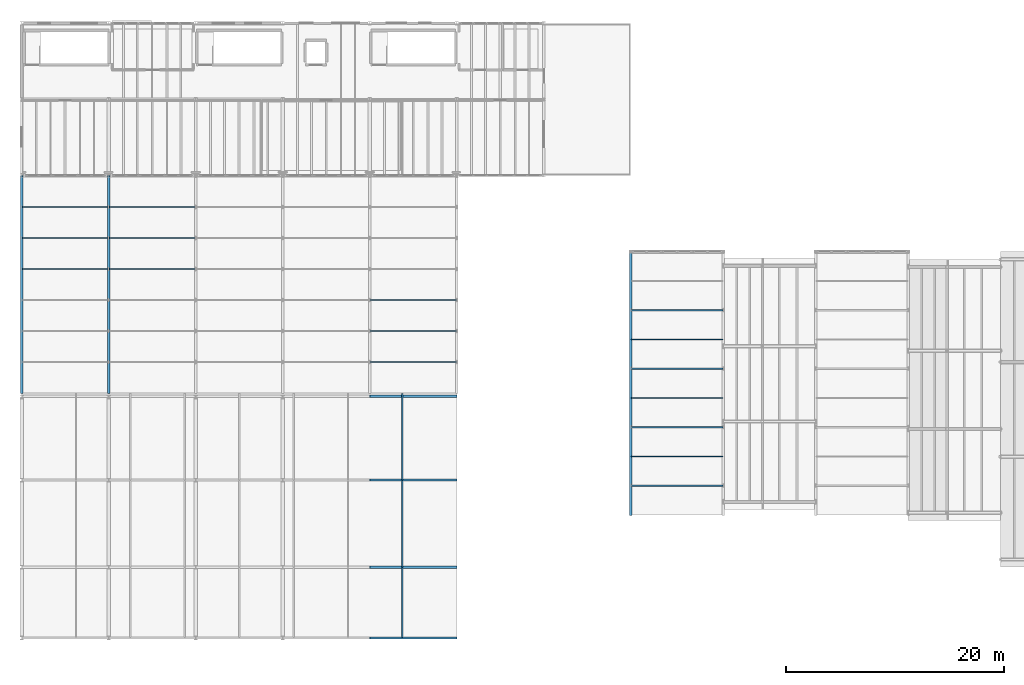
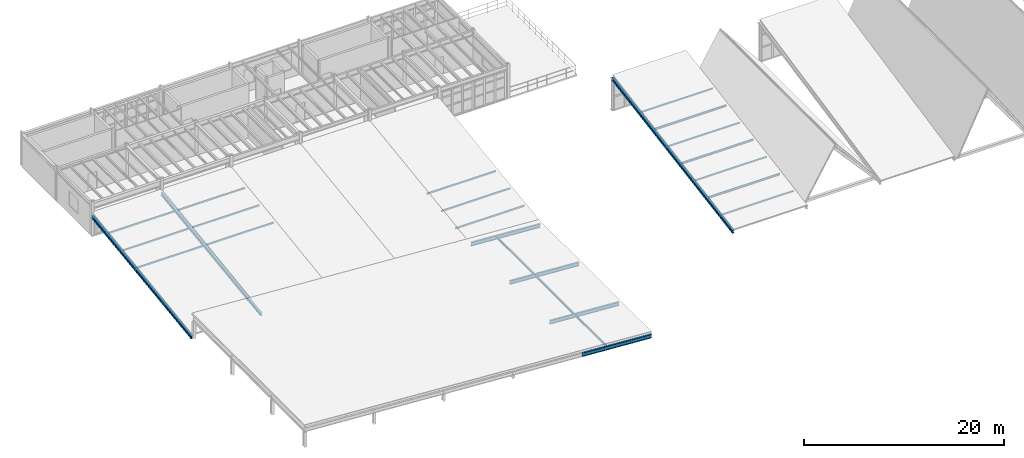
# One storey, part 7 of 77: 26 members.
"""IFC4 building model written with IfcOpenShell, lengths in metres."""

from ifc_helpers import new_model, si_unit, direction, frame, origin, origin_2d, place, context, subcontext, project, spatial, hollow_rectangle, i_section, extrude, material, material_profile, profile_set, type_object, element, save


model = new_model("IFC4")

# Units and contexts
model_context = context("Model", 3, precision=1e-05, world=origin(), true_north=direction((0.0, 1.0)))
body_context = subcontext(model_context, "Body", "Model", "MODEL_VIEW")
ifc_project = project(units=[si_unit("LENGTHUNIT", "METRE"), si_unit("AREAUNIT", "SQUARE_METRE"), si_unit("VOLUMEUNIT", "CUBIC_METRE"), si_unit("PLANEANGLEUNIT", "RADIAN"), si_unit("MASSUNIT", "GRAM", prefix="KILO"), si_unit("THERMODYNAMICTEMPERATUREUNIT", "KELVIN"), si_unit("POWERUNIT", "WATT")], contexts=[model_context])

# Site, building, storey
site_placement = place(None, origin())
site = spatial("IfcSite", under=ifc_project, at=site_placement, CompositionType="ELEMENT")
building_placement = place(site_placement, origin())
building = spatial("IfcBuilding", under=site, at=building_placement, Name="Zhenchuan Central Fire Station", CompositionType="ELEMENT")
storey_placement = place(building_placement, frame((0.0, 0.0, 10.050048828125)))
storey = spatial("IfcBuildingStorey", under=building, at=storey_placement, Name="L03", CompositionType="ELEMENT", Elevation=10.050048828125)

# Members
ifc_material = material(Name="Steel Q355B", Category="steel")
ifc_material_profile_1 = material_profile(ifc_material, i_section(OverallWidth=0.125, OverallDepth=0.25, WebThickness=0.006103515625, FlangeThickness=0.009033203125, FilletRadius=0.011962890625, at=origin_2d()), Name="HN 250x125")
ifc_profile_set_1 = profile_set([ifc_material_profile_1], Name="Steel Q355B")
member_type_1 = type_object("IfcMemberType", Name="MB-PR-HN250", PredefinedType="PURLIN", material=ifc_profile_set_1)
for number, where, z_axis, x_axis, name in (
    (1, (56.014892578125, 16.677734375, 0.57763671875), (1.0, 0.0, 0.0), (0.0, 1.0, 0.0), "Pavilion H01 Roof Purlin 2"),
    (2, (56.014892578125, 22.0556640625, 1.485595703125), (1.0, 0.0, 0.0), (0.0, 1.0, 0.0), "Pavilion H01 Roof Purlin 4"),
    (3, (56.014892578125, 27.433349609375, 2.3935546875), (1.0, 0.0, 0.0), (0.0, 1.0, 0.0), "Pavilion H01 Roof Purlin 6"),
):
    element("IfcMember", number, at=place(storey_placement, frame(where, z_axis=z_axis, x_axis=x_axis)), inside=storey, type_object=member_type_1, Name=name, PredefinedType="PURLIN", context=body_context, shape_type="SweptSolid", body=[
        extrude(i_section(OverallWidth=0.125, OverallDepth=0.25, WebThickness=0.006103515625, FlangeThickness=0.009033203125, FilletRadius=0.011962890625, at=origin_2d()), origin(), (0.0, 0.0, 1.0), 8.47021484375),
    ])
member_1_placement = place(storey_placement, frame((35.0, 0.014892578125, -0.197509765625), z_axis=(0.0, 1.0, 0.0), x_axis=(-1.0, 0.0, 0.0)))
element("IfcMember", 4, at=member_1_placement, inside=storey, type_object=member_type_1, Name="Lecture Roof Purlin 0-7", PredefinedType="PURLIN", context=body_context, shape_type="SweptSolid", body=[
    extrude(i_section(OverallWidth=0.125, OverallDepth=0.25, WebThickness=0.006103515625, FlangeThickness=0.009033203125, FilletRadius=0.011962890625, at=origin_2d()), origin(), (0.0, 0.0, 1.0), 6.47021484375),
])
for number, where, z_axis, x_axis, name in (
    (5, (35.0, 6.514892578125, -0.197509765625), (0.0, 1.0, 0.0), (-1.0, 0.0, 0.0), "Lecture Roof Purlin 6-7"),
    (6, (35.0, 14.514892578125, -0.197509765625), (0.0, 1.0, 0.0), (-1.0, 0.0, 0.0), "Lecture Roof Purlin 14-7"),
):
    element("IfcMember", number, at=place(storey_placement, frame(where, z_axis=z_axis, x_axis=x_axis)), inside=storey, type_object=member_type_1, Name=name, PredefinedType="PURLIN", context=body_context, shape_type="SweptSolid", body=[
        extrude(i_section(OverallWidth=0.125, OverallDepth=0.25, WebThickness=0.006103515625, FlangeThickness=0.009033203125, FilletRadius=0.011962890625, at=origin_2d()), origin(), (0.0, 0.0, 1.0), 7.97021484375),
    ])
ifc_material_profile_2 = material_profile(ifc_material, hollow_rectangle(XDim=0.10009765625, YDim=0.179931640625, WallThickness=0.008056640625, at=origin_2d()), Name="RHS 180x100x8")
ifc_profile_set_2 = profile_set([ifc_material_profile_2], Name="Steel Q355B")
member_type_2 = type_object("IfcMemberType", Name="MB-PR-RHS180", PredefinedType="PURLIN", material=ifc_profile_set_2)
for number, where, z_axis, x_axis, name in (
    (7, (56.014892578125, 13.989013671875, 0.123779296875), (1.0, 0.0, 0.0), (0.0, 1.0, 0.0), "Pavilion H01 Roof Purlin 1"),
    (8, (56.014892578125, 19.36669921875, 1.03173828125), (1.0, 0.0, 0.0), (0.0, 1.0, 0.0), "Pavilion H01 Roof Purlin 3"),
    (9, (56.014892578125, 24.744384765625, 1.939453125), (1.0, 0.0, 0.0), (0.0, 1.0, 0.0), "Pavilion H01 Roof Purlin 5"),
    (10, (56.014892578125, 30.122314453125, 2.847412109375), (1.0, 0.0, 0.0), (0.0, 1.0, 0.0), "Pavilion H01 Roof Purlin 7"),
):
    element("IfcMember", number, at=place(storey_placement, frame(where, z_axis=z_axis, x_axis=x_axis)), inside=storey, type_object=member_type_2, Name=name, PredefinedType="PURLIN", context=body_context, shape_type="SweptSolid", body=[
        extrude(hollow_rectangle(XDim=0.10009765625, YDim=0.179931640625, WallThickness=0.008056640625, at=origin_2d()), origin(), (0.0, 0.0, 1.0), 8.47021484375),
    ])
ifc_material_profile_3 = material_profile(ifc_material, hollow_rectangle(XDim=0.10009765625, YDim=0.199951171875, WallThickness=0.008056640625, at=origin_2d()), Name="RHS 200x100x8")
ifc_profile_set_3 = profile_set([ifc_material_profile_3], Name="Steel Q355B")
member_type_3 = type_object("IfcMemberType", Name="MB-PR-RHS200", PredefinedType="PURLIN", material=ifc_profile_set_3)
for number, where, z_axis, x_axis, name in (
    (11, (0.014892578125, 33.9169921875, 1.161376953125), (1.0, 0.0, 0.0), (0.0, 1.0, 0.0), "Workshop Sawtooth Purlin 1.4"),
    (12, (0.014892578125, 36.771484375, 1.544189453125), (1.0, 0.0, 0.0), (0.0, 1.0, 0.0), "Workshop Sawtooth Purlin 1.5"),
    (13, (0.014892578125, 39.625732421875, 1.927001953125), (1.0, 0.0, 0.0), (0.0, 1.0, 0.0), "Workshop Sawtooth Purlin 1.6"),
    (14, (8.014892578125, 33.9169921875, 1.161376953125), (1.0, 0.0, 0.0), (0.0, 1.0, 0.0), "Workshop Sawtooth Purlin 2.4"),
    (15, (8.014892578125, 36.771484375, 1.544189453125), (1.0, 0.0, 0.0), (0.0, 1.0, 0.0), "Workshop Sawtooth Purlin 2.5"),
    (16, (8.014892578125, 39.625732421875, 1.927001953125), (1.0, 0.0, 0.0), (0.0, 1.0, 0.0), "Workshop Sawtooth Purlin 2.6"),
    (17, (32.014892578125, 25.354248046875, 0.012939453125), (1.0, 0.0, 0.0), (0.0, 1.0, 0.0), "Workshop Sawtooth Purlin 5.1"),
    (18, (32.014892578125, 28.20849609375, 0.395751953125), (1.0, 0.0, 0.0), (0.0, 1.0, 0.0), "Workshop Sawtooth Purlin 5.2"),
    (19, (32.014892578125, 31.06298828125, 0.778564453125), (1.0, 0.0, 0.0), (0.0, 1.0, 0.0), "Workshop Sawtooth Purlin 5.3"),
):
    element("IfcMember", number, at=place(storey_placement, frame(where, z_axis=z_axis, x_axis=x_axis)), inside=storey, type_object=member_type_3, Name=name, PredefinedType="PURLIN", context=body_context, shape_type="SweptSolid", body=[
        extrude(hollow_rectangle(XDim=0.10009765625, YDim=0.199951171875, WallThickness=0.008056640625, at=origin_2d()), origin(), (0.0, 0.0, 1.0), 7.97021484375),
    ])
ifc_material_profile_4 = material_profile(ifc_material, i_section(OverallWidth=0.25, OverallDepth=0.340087890625, WebThickness=0.009033203125, FlangeThickness=0.013916015625, FilletRadius=0.01806640625, at=origin_2d()), Name="HM 340x250")
ifc_profile_set_4 = profile_set([ifc_material_profile_4], Name="Steel Q355B")
member_type_4 = type_object("IfcMemberType", Name="MB-RF-HM340", PredefinedType="RAFTER", material=ifc_profile_set_4)
member_2_placement = place(storey_placement, frame((56.0, 11.300048828125, -0.300048828125), z_axis=(0.0, 0.986048986073, 0.166455390615), x_axis=(-1.0, 0.0, 0.0)))
element("IfcMember", 20, at=member_2_placement, inside=storey, type_object=member_type_4, Name="Pavilion H01 Sawtooth Rafter 1", PredefinedType="RAFTER", context=body_context, shape_type="SweptSolid", body=[
    extrude(i_section(OverallWidth=0.25, OverallDepth=0.340087890625, WebThickness=0.009033203125, FlangeThickness=0.013916015625, FilletRadius=0.01806640625, at=origin_2d()), origin(), (0.0, 0.0, 1.0), 24.542236328125),
])
member_3_placement = place(storey_placement, frame((8.0, 22.5, -0.35009765625), z_axis=(0.0, 0.991124046415, 0.132940304718), x_axis=(-1.0, 0.0, 0.0)))
element("IfcMember", 21, at=member_3_placement, inside=storey, type_object=member_type_4, Name="Workshop Sawtooth Rafter 1.2", PredefinedType="RAFTER", context=body_context, shape_type="SweptSolid", body=[
    extrude(i_section(OverallWidth=0.25, OverallDepth=0.340087890625, WebThickness=0.009033203125, FlangeThickness=0.013916015625, FilletRadius=0.01806640625, at=origin_2d()), origin(), (0.0, 0.0, 1.0), 20.158935546875),
])
ifc_material_profile_5 = material_profile(ifc_material, i_section(OverallWidth=0.25, OverallDepth=0.340087890625, WebThickness=0.009033203125, FlangeThickness=0.013916015625, FilletRadius=0.01806640625, at=origin_2d()), Name="HM 340x250")
ifc_profile_set_5 = profile_set([ifc_material_profile_5], Name="Steel Q355B")
member_type_5 = type_object("IfcMemberType", Name="MB-RF-HM340-EXT", PredefinedType="RAFTER", material=ifc_profile_set_5)
member_4_placement = place(storey_placement, frame((0.0, 22.5, -0.35009765625), z_axis=(0.0, 0.991124046415, 0.132940304718), x_axis=(-1.0, 0.0, 0.0)))
element("IfcMember", 22, at=member_4_placement, inside=storey, type_object=member_type_5, Name="Workshop Sawtooth Rafter 1.1", PredefinedType="RAFTER", context=body_context, shape_type="SweptSolid", body=[
    extrude(i_section(OverallWidth=0.25, OverallDepth=0.340087890625, WebThickness=0.009033203125, FlangeThickness=0.013916015625, FilletRadius=0.01806640625, at=origin_2d()), origin(), (0.0, 0.0, 1.0), 20.158935546875),
])
ifc_material_profile_6 = material_profile(ifc_material, i_section(OverallWidth=0.199951171875, OverallDepth=0.449951171875, WebThickness=0.009033203125, FlangeThickness=0.013916015625, FilletRadius=0.01806640625, at=origin_2d()), Name="HN 450x200")
ifc_profile_set_6 = profile_set([ifc_material_profile_6], Name="Steel Q355B")
member_type_6 = type_object("IfcMemberType", Name="MB-RF-HN450", PredefinedType="RAFTER", material=ifc_profile_set_6)
member_5_placement = place(storey_placement, frame((32.0, 0.0, 0.01806640625), z_axis=(0.99798950482, 0.0, -0.0633793994), x_axis=(0.0, 1.0, 0.0)))
element("IfcMember", 23, at=member_5_placement, inside=storey, type_object=member_type_6, Name="Lecture Raked Roof Rafter Y=0.0 Bay 5", PredefinedType="RAFTER", context=body_context, shape_type="SweptSolid", body=[
    extrude(i_section(OverallWidth=0.199951171875, OverallDepth=0.449951171875, WebThickness=0.009033203125, FlangeThickness=0.013916015625, FilletRadius=0.01806640625, at=origin_2d()), origin(), (0.0, 0.0, 1.0), 8.01611328125),
])
ifc_material_profile_7 = material_profile(ifc_material, i_section(OverallWidth=0.199951171875, OverallDepth=0.449951171875, WebThickness=0.009033203125, FlangeThickness=0.013916015625, FilletRadius=0.01806640625, at=origin_2d()), Name="HN 450x200")
ifc_profile_set_7 = profile_set([ifc_material_profile_7], Name="Steel Q355B")
member_type_7 = type_object("IfcMemberType", Name="MB-RF-HN450-INT", PredefinedType="RAFTER", material=ifc_profile_set_7)
for number, where, z_axis, x_axis, name in (
    (24, (32.0, 6.5, 0.01806640625), (0.99798950482, 0.0, -0.0633793994), (0.0, 1.0, 0.0), "Lecture Raked Roof Rafter Y=6.5 Bay 5"),
    (25, (32.0, 14.5, 0.01806640625), (0.99798950482, 0.0, -0.0633793994), (0.0, 1.0, 0.0), "Lecture Raked Roof Rafter Y=14.5 Bay 5"),
    (26, (32.0, 22.219970703125, 0.01806640625), (0.99798950482, 0.0, -0.0633793994), (0.0, 1.0, 0.0), "Lecture Raked Roof Rafter Y=22.5 Bay 5"),
):
    element("IfcMember", number, at=place(storey_placement, frame(where, z_axis=z_axis, x_axis=x_axis)), inside=storey, type_object=member_type_7, Name=name, PredefinedType="RAFTER", context=body_context, shape_type="SweptSolid", body=[
        extrude(i_section(OverallWidth=0.199951171875, OverallDepth=0.449951171875, WebThickness=0.009033203125, FlangeThickness=0.013916015625, FilletRadius=0.01806640625, at=origin_2d()), origin(), (0.0, 0.0, 1.0), 8.01611328125),
    ])

save(model, "model.ifc")
